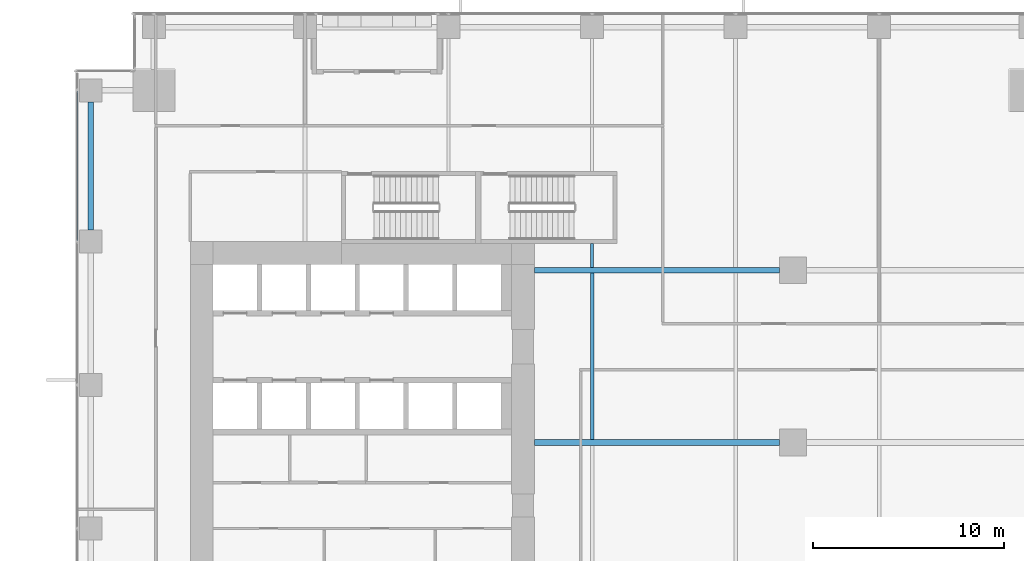
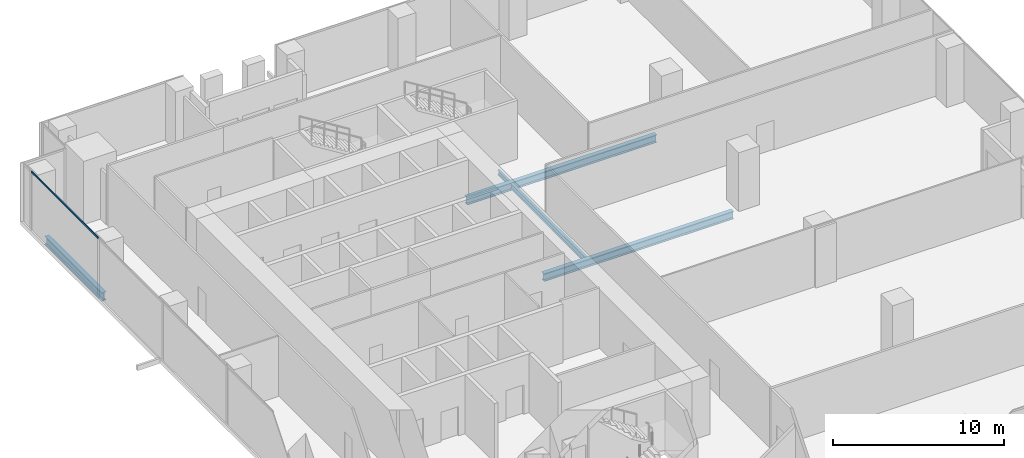
# One storey, part 13 of 33: 5 beams, 1 member, 1 element without a shape of its own.
"""IFC4 building model written with IfcOpenShell, lengths in metres."""

import ifcopenshell
import ifcopenshell.guid

model = None  # the IFC model being written
_history = None  # IfcOwnerHistory: only IFC2X3 demands one
_inside = {}  # id of a spatial element -> (the spatial element, [elements in it])
_under = {}  # id of a project, library or spatial element -> (it, [spatial elements below it])
_declared = {}  # id of a project -> (the project, [libraries it declares])
_typed = {}  # id of a type object -> (the type object, [elements of that type])
_made_of = {}  # id of a material, layer set ... -> (it, [elements and type objects made of it])


def new_model(schema):
    """Start an empty IFC model of exactly this schema.

    Asked for "IFC4X3", IfcOpenShell would pick the latest addendum, in which some entities
    have other attributes; the version numbers below select the first issue.
    IFC2X3 requires an IfcOwnerHistory on every rooted entity: one is made here for all.
    """
    global model, _history
    if schema == "IFC4X3":
        model = ifcopenshell.file(schema_version=(4, 3, 0, 0))
    else:
        model = ifcopenshell.file(schema=schema)
    _inside.clear()
    _under.clear()
    _declared.clear()
    _typed.clear()
    _made_of.clear()
    _history = None
    if model.schema == "IFC2X3":
        org = make("IfcOrganization", Name="unknown")
        user = make(
            "IfcPersonAndOrganization",
            ThePerson=make("IfcPerson", FamilyName="unknown"),
            TheOrganization=org,
        )
        app = make(
            "IfcApplication",
            ApplicationDeveloper=org,
            Version="unknown",
            ApplicationFullName="unknown",
            ApplicationIdentifier="unknown",
        )
        _history = make(
            "IfcOwnerHistory",
            OwningUser=user,
            OwningApplication=app,
            ChangeAction="ADDED",
            CreationDate=0,
        )
    return model


def make(cls, **values):
    """One entity of the class cls with the attributes given. An attribute that is None is left unset."""
    return model.create_entity(
        cls, **{name: value for name, value in values.items() if value is not None}
    )


def rooted(cls, **values):
    """An entity with a GlobalId (a new one), such as an element, a storey or a relation."""
    return make(cls, GlobalId=ifcopenshell.guid.new(), OwnerHistory=_history, **values)


def si_unit(unit_type, name, prefix=None):
    """IfcSIUnit, for example si_unit("LENGTHUNIT", "METRE", prefix="MILLI")."""
    return make("IfcSIUnit", UnitType=unit_type, Prefix=prefix, Name=name)


def assignment(units):
    """IfcUnitAssignment: the units of a project."""
    return None if units is None else make("IfcUnitAssignment", Units=units)


def point(xyz):
    """IfcCartesianPoint."""
    return None if xyz is None else make("IfcCartesianPoint", Coordinates=xyz)


def direction(xyz):
    """IfcDirection."""
    return None if xyz is None else make("IfcDirection", DirectionRatios=xyz)


def frame(location, z_axis=None, x_axis=None):
    """IfcAxis2Placement3D, a coordinate frame: its origin and axes. An axis left out is left unset."""
    return make(
        "IfcAxis2Placement3D",
        Location=point(location),
        Axis=direction(z_axis),
        RefDirection=direction(x_axis),
    )


def frame_2d(location, x_axis=None):
    """IfcAxis2Placement2D, a coordinate frame in the plane: its origin and x axis."""
    return make(
        "IfcAxis2Placement2D", Location=point(location), RefDirection=direction(x_axis)
    )


def origin():
    """The frame at (0, 0, 0) with its axes left unset."""
    return frame((0.0, 0.0, 0.0))


def origin_2d():
    """The frame at (0, 0) in the plane with its x axis left unset."""
    return frame_2d((0.0, 0.0))


def place(relative_to, where):
    """IfcLocalPlacement: puts the frame where relative to a parent placement (None: the world)."""
    return make(
        "IfcLocalPlacement", PlacementRelTo=relative_to, RelativePlacement=where
    )


def context(
    kind, dimensions, precision=None, world=None, true_north=None, identifier=None
):
    """IfcGeometricRepresentationContext, for example the 3D "Model" context."""
    return make(
        "IfcGeometricRepresentationContext",
        ContextIdentifier=identifier,
        ContextType=kind,
        CoordinateSpaceDimension=dimensions,
        Precision=precision,
        WorldCoordinateSystem=world,
        TrueNorth=true_north,
    )


def subcontext(parent, identifier, kind, view, scale=None):
    """IfcGeometricRepresentationSubContext, for example "Body" below "Model"."""
    return make(
        "IfcGeometricRepresentationSubContext",
        ContextIdentifier=identifier,
        ContextType=kind,
        ParentContext=parent,
        TargetScale=scale,
        TargetView=view,
    )


def project(units=None, contexts=None):
    """IfcProject with its units and contexts."""
    return rooted(
        "IfcProject",
        Name="project",
        RepresentationContexts=contexts,
        UnitsInContext=assignment(units),
    )


def spatial(cls, under=None, at=None, **own):
    """A site, building, storey or space (cls), placed at a placement, below another one or the project."""
    s = rooted(cls, ObjectPlacement=at, **own)
    if under is not None:
        _under.setdefault(under.id(), (under, []))[1].append(s)
    return s


def profile(cls, at=None, kind="AREA", **sizes):
    """A parametric profile (cls). Its sizes go by their IFC names, for example OverallWidth=200.0."""
    return make(cls, ProfileType=kind, Position=at, **sizes)


def hollow_rectangle(**sizes):
    """IfcRectangleHollowProfileDef."""
    return profile("IfcRectangleHollowProfileDef", **sizes)


def i_section(**sizes):
    """IfcIShapeProfileDef."""
    return profile("IfcIShapeProfileDef", **sizes)


def extrude(swept, where, along, depth):
    """IfcExtrudedAreaSolid: the profile swept, set in the frame where, extruded along a direction by depth."""
    return make(
        "IfcExtrudedAreaSolid",
        SweptArea=swept,
        Position=where,
        ExtrudedDirection=direction(along),
        Depth=depth,
    )


def shape(context_of_items, identifier, shape_type, items):
    """IfcShapeRepresentation: the items that make up one representation, for example the "Body"."""
    return make(
        "IfcShapeRepresentation",
        ContextOfItems=context_of_items,
        RepresentationIdentifier=identifier,
        RepresentationType=shape_type,
        Items=items,
    )


def source(mapping_origin, context_of_items, identifier, shape_type, items):
    """IfcRepresentationMap: a shape defined once, which mapped items show again and again."""
    return make(
        "IfcRepresentationMap",
        MappingOrigin=mapping_origin,
        MappedRepresentation=shape(context_of_items, identifier, shape_type, items),
    )


def transform(
    local_origin,
    x_axis=None,
    y_axis=None,
    z_axis=None,
    scale=None,
    scale2=None,
    scale3=None,
    uniform=True,
):
    """IfcCartesianTransformationOperator3D, or its non-uniform kind. x_axis, y_axis, z_axis: its Axis1, 2, 3."""
    if uniform:
        return make(
            "IfcCartesianTransformationOperator3D",
            Axis1=direction(x_axis),
            Axis2=direction(y_axis),
            LocalOrigin=point(local_origin),
            Scale=scale,
            Axis3=direction(z_axis),
        )
    return make(
        "IfcCartesianTransformationOperator3DnonUniform",
        Axis1=direction(x_axis),
        Axis2=direction(y_axis),
        LocalOrigin=point(local_origin),
        Scale=scale,
        Axis3=direction(z_axis),
        Scale2=scale2,
        Scale3=scale3,
    )


def mapped(mapping_source, mapping_target):
    """IfcMappedItem: shows the shape of a source again, moved by a transform."""
    return make(
        "IfcMappedItem", MappingSource=mapping_source, MappingTarget=mapping_target
    )


def material(Name=None, Category=None):
    """IfcMaterial."""
    return make("IfcMaterial", Name=Name, Category=Category)


def material_profile(
    of_material, cross_section, Name=None, Category=None, Priority=None
):
    """IfcMaterialProfile: a cross section and its material."""
    return make(
        "IfcMaterialProfile",
        Name=Name,
        Material=of_material,
        Profile=cross_section,
        Priority=Priority,
        Category=Category,
    )


def profile_set(profiles, Name=None, composite=None):
    """IfcMaterialProfileSet."""
    return make(
        "IfcMaterialProfileSet",
        Name=Name,
        MaterialProfiles=profiles,
        CompositeProfile=composite,
    )


def made_of(thing, what):
    """Note that an element or type object is made of a material, layer set ...; save() writes the relation."""
    if what is not None:
        _made_of.setdefault(what.id(), (what, []))[1].append(thing)
    return thing


def type_object(cls, material=None, **own):
    """A type object (cls), such as IfcWallType, which elements share."""
    return made_of(rooted(cls, **own), material)


def element(
    cls,
    number,
    at=None,
    inside=None,
    cuts=None,
    type_object=None,
    material=None,
    context=None,
    identifier="Body",
    shape_type=None,
    held_by="IfcProductDefinitionShape",
    body=None,
    shapes=None,
    **own,
):
    """One element of the class cls, such as IfcWall. Its Tag is "e" and its number.

    at: its placement. inside: the storey or other place that contains it. cuts: it is an
    opening in that element (IfcRelVoidsElement). A single representation is given by context,
    identifier, shape_type and body (its items); several are given by shapes. held_by: the class
    of the entity that holds the representations. save() writes the other relations.
    """
    e = rooted(cls, Tag="e%d" % number, ObjectPlacement=at, **own)
    if body is not None:
        shapes = [shape(context, identifier, shape_type, body)]
    if shapes is not None:
        e.Representation = make(held_by, Representations=shapes)
    if inside is not None:
        _inside.setdefault(inside.id(), (inside, []))[1].append(e)
    if cuts is not None:
        rooted(
            "IfcRelVoidsElement", RelatingBuildingElement=cuts, RelatedOpeningElement=e
        )
    if type_object is not None:
        _typed.setdefault(type_object.id(), (type_object, []))[1].append(e)
    return made_of(e, material)


def aggregate(whole, parts):
    """IfcRelAggregates: a whole, such as a stair, and the parts it consists of."""
    return rooted("IfcRelAggregates", RelatingObject=whole, RelatedObjects=parts)


def save(model, path):
    """Write the relations noted so far, then the file.

    IfcRelAggregates (storeys below a building ...), IfcRelContainedInSpatialStructure (elements
    in a storey), IfcRelDefinesByType, IfcRelAssociatesMaterial and IfcRelDeclares: one each for
    every whole, place, type object, material and project.
    """
    for whole, parts in _under.values():
        aggregate(whole, parts)
    for where, things in _inside.values():
        rooted(
            "IfcRelContainedInSpatialStructure",
            RelatedElements=things,
            RelatingStructure=where,
        )
    for kind, things in _typed.values():
        rooted("IfcRelDefinesByType", RelatedObjects=things, RelatingType=kind)
    for what, things in _made_of.values():
        rooted("IfcRelAssociatesMaterial", RelatedObjects=things, RelatingMaterial=what)
    for by, libraries in _declared.values():
        rooted("IfcRelDeclares", RelatingContext=by, RelatedDefinitions=libraries)
    model.write(path)


model = new_model("IFC4")

# Units and contexts
model_context = context("Model", 3, precision=1e-05, world=origin(), true_north=direction((0.0, 1.0)))
body_context = subcontext(model_context, "Body", "Model", "MODEL_VIEW")
ifc_project = project(units=[si_unit("LENGTHUNIT", "METRE"), si_unit("AREAUNIT", "SQUARE_METRE"), si_unit("VOLUMEUNIT", "CUBIC_METRE"), si_unit("PLANEANGLEUNIT", "RADIAN"), si_unit("MASSUNIT", "GRAM", prefix="KILO")], contexts=[model_context])

# Site, building, storey
site_placement = place(None, origin())
site = spatial("IfcSite", under=ifc_project, at=site_placement, CompositionType="ELEMENT")
building_placement = place(site_placement, origin())
building = spatial("IfcBuilding", under=site, at=building_placement, Name="Khomas Fold Tower", CompositionType="ELEMENT")
storey_placement = place(building_placement, frame((0.0, 0.0, 78.0)))
storey = spatial("IfcBuildingStorey", under=building, at=storey_placement, Name="L16", CompositionType="ELEMENT", Elevation=78.0)

# Beams
ifc_material_1 = material(Name="Steel S355", Category="steel")
ifc_material_profile_1 = material_profile(ifc_material_1, i_section(OverallWidth=0.300048828125, OverallDepth=0.550048828125, WebThickness=0.014892578125, FlangeThickness=0.029052734375, at=origin_2d()), Name="HE 550 B")
ifc_profile_set_1 = profile_set([ifc_material_profile_1], Name="Steel S355")
beam_type_1 = type_object("IfcBeamType", Name="HE 550 B beam GB4", PredefinedType="BEAM", material=ifc_profile_set_1)
shared_shape_1 = source(origin(), body_context, "Body", "SweptSolid", [
    extrude(i_section(OverallWidth=0.300048828125, OverallDepth=0.550048828125, WebThickness=0.014892578125, FlangeThickness=0.029052734375, at=origin_2d()), origin(), (0.0, 0.0, 1.0), 12.800048828125),
])
for number, where, z_axis, x_axis, name in (
    (1, (24.0, 31.5, -0.574951171875), (1.0, 0.0, 0.0), (0.0, 1.0, 0.0), "GB4"),
    (2, (24.0, 40.5, -0.574951171875), (1.0, 0.0, 0.0), (0.0, 1.0, 0.0), "GB4"),
):
    element("IfcBeam", number, at=place(storey_placement, frame(where, z_axis=z_axis, x_axis=x_axis)), inside=storey, type_object=beam_type_1, Name=name, PredefinedType="BEAM", context=body_context, shape_type="MappedRepresentation", body=[
        mapped(shared_shape_1, transform((0.0, 0.0, 0.0))),
    ])
ifc_material_2 = material(Name="Steel S355", Category="steel")
ifc_material_profile_2 = material_profile(ifc_material_2, i_section(OverallWidth=0.179931640625, OverallDepth=0.39990234375, WebThickness=0.008544921875, FlangeThickness=0.013427734375, at=origin_2d()), Name="IPE 400")
ifc_profile_set_2 = profile_set([ifc_material_profile_2], Name="Steel S355")
beam_type_2 = type_object("IfcBeamType", Name="IPE 400 beam JB3", PredefinedType="BEAM", material=ifc_profile_set_2)
shared_shape_2 = source(origin(), body_context, "Body", "SweptSolid", [
    extrude(i_section(OverallWidth=0.179931640625, OverallDepth=0.39990234375, WebThickness=0.008544921875, FlangeThickness=0.013427734375, at=origin_2d()), origin(), (0.0, 0.0, 1.0), 8.7001953125),
])
beam_1_placement = place(storey_placement, frame((27.0, 31.64990234375, -0.5), z_axis=(0.0, 1.0, 0.0), x_axis=(-1.0, 0.0, 0.0)))
element("IfcBeam", 3, at=beam_1_placement, inside=storey, type_object=beam_type_2, Name="JB3", PredefinedType="BEAM", context=body_context, shape_type="MappedRepresentation", body=[
    mapped(shared_shape_2, transform((0.0, 0.0, 0.0))),
])
ifc_material_3 = material(Name="Steel S355", Category="steel")
ifc_material_profile_3 = material_profile(ifc_material_3, i_section(OverallWidth=0.300048828125, OverallDepth=0.60009765625, WebThickness=0.015380859375, FlangeThickness=0.030029296875, at=origin_2d()), Name="HE 600 B")
ifc_profile_set_3 = profile_set([ifc_material_profile_3], Name="Steel S355")
beam_type_3 = type_object("IfcBeamType", Name="HE 600 B spandrel SB1", PredefinedType="SPANDREL", material=ifc_profile_set_3)
shared_shape_3 = source(origin(), body_context, "Body", "SweptSolid", [
    extrude(i_section(OverallWidth=0.300048828125, OverallDepth=0.60009765625, WebThickness=0.015380859375, FlangeThickness=0.030029296875, at=origin_2d()), origin(), (0.0, 0.0, 1.0), 6.699951171875),
])
beam_2_placement = place(storey_placement, frame((0.800048828125, 42.60009765625, -0.60009765625), z_axis=(0.0, 1.0, 0.0), x_axis=(-1.0, 0.0, 0.0)))
element("IfcBeam", 4, at=beam_2_placement, inside=storey, type_object=beam_type_3, Name="SB1", PredefinedType="SPANDREL", context=body_context, shape_type="MappedRepresentation", body=[
    mapped(shared_shape_3, transform((0.0, 0.0, 0.0))),
])
ifc_material_4 = material(Name="Steel S355", Category="steel")
ifc_material_profile_4 = material_profile(ifc_material_4, i_section(OverallWidth=0.159912109375, OverallDepth=0.330078125, WebThickness=0.007568359375, FlangeThickness=0.011474609375, at=origin_2d()), Name="IPE 330")
ifc_profile_set_4 = profile_set([ifc_material_profile_4], Name="Steel S355")
beam_type_4 = type_object("IfcBeamType", Name="IPE 330 beam JB1", PredefinedType="BEAM", material=ifc_profile_set_4)
shared_shape_4 = source(origin(), body_context, "Body", "SweptSolid", [
    extrude(i_section(OverallWidth=0.159912109375, OverallDepth=0.330078125, WebThickness=0.007568359375, FlangeThickness=0.011474609375, at=origin_2d()), origin(), (0.0, 0.0, 1.0), 1.25),
])
beam_3_placement = place(storey_placement, frame((27.0, 40.64990234375, -0.465087890625), z_axis=(0.0, 1.0, 0.0), x_axis=(-1.0, 0.0, 0.0)))
element("IfcBeam", 5, at=beam_3_placement, inside=storey, type_object=beam_type_4, Name="JB1", PredefinedType="BEAM", context=body_context, shape_type="MappedRepresentation", body=[
    mapped(shared_shape_4, transform((0.0, 0.0, 0.0))),
])

# Curtain wall, member
ifc_material_5 = material(Name="Aluminium framed double glazing", Category="aluminium")
curtain_wall_type = type_object("IfcCurtainWallType", Name="SK-Unitised clear-glass wall, growing floors CW1", PredefinedType="NOTDEFINED", material=ifc_material_5)
curtain_wall_placement = place(storey_placement, origin())
curtain_wall = element("IfcCurtainWall", 6, at=curtain_wall_placement, inside=storey, type_object=curtain_wall_type, Name="CW1 run L16 09-0", PredefinedType="NOTDEFINED")
ifc_material_6 = material(Name="Aluminium", Category="aluminium")
ifc_material_profile_5 = material_profile(ifc_material_6, hollow_rectangle(XDim=0.06005859375, YDim=0.1201171875, WallThickness=0.00390625, at=origin_2d()), Name="SK-Unitised clear-glass wall, growing floors transom CW1-T")
ifc_profile_set_5 = profile_set([ifc_material_profile_5], Name="Aluminium")
member_type = type_object("IfcMemberType", Name="SK-Unitised clear-glass wall, growing floors transom CW1-T", PredefinedType="USERDEFINED", material=ifc_profile_set_5)
shared_shape_5 = source(origin(), body_context, "Body", "SweptSolid", [
    extrude(hollow_rectangle(XDim=0.06005859375, YDim=0.1201171875, WallThickness=0.00390625, at=origin_2d()), origin(), (0.0, 0.0, 1.0), 7.840087890625),
])
member_placement = place(storey_placement, frame((0.10009765625, 49.8701171875, 4.139892578125), z_axis=(0.0, -1.0, 0.0), x_axis=(1.0, 0.0, 0.0)))
member = element("IfcMember", 7, at=member_placement, type_object=member_type, Name="CW1 transom 2", ObjectType="TRANSOM", PredefinedType="USERDEFINED", context=body_context, shape_type="MappedRepresentation", body=[
    mapped(shared_shape_5, transform((0.0, 0.0, 0.0))),
])
aggregate(curtain_wall, [member])

save(model, "model.ifc")
